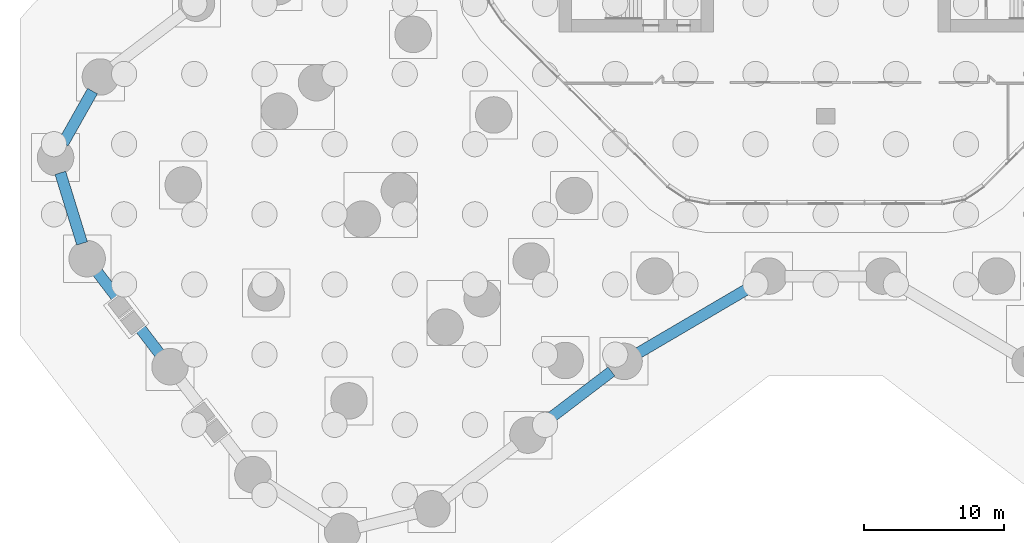
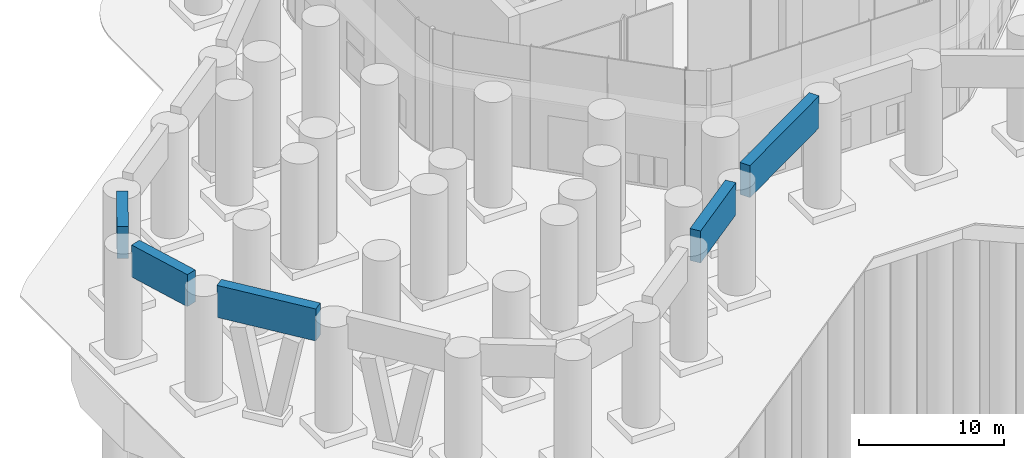
# One storey, part 4 of 31: 5 beams.
"""IFC4 building model written with IfcOpenShell, lengths in metres."""

import ifcopenshell
import ifcopenshell.guid

model = None  # the IFC model being written
_history = None  # IfcOwnerHistory: only IFC2X3 demands one
_inside = {}  # id of a spatial element -> (the spatial element, [elements in it])
_under = {}  # id of a project, library or spatial element -> (it, [spatial elements below it])
_declared = {}  # id of a project -> (the project, [libraries it declares])
_typed = {}  # id of a type object -> (the type object, [elements of that type])
_made_of = {}  # id of a material, layer set ... -> (it, [elements and type objects made of it])


def new_model(schema):
    """Start an empty IFC model of exactly this schema.

    Asked for "IFC4X3", IfcOpenShell would pick the latest addendum, in which some entities
    have other attributes; the version numbers below select the first issue.
    IFC2X3 requires an IfcOwnerHistory on every rooted entity: one is made here for all.
    """
    global model, _history
    if schema == "IFC4X3":
        model = ifcopenshell.file(schema_version=(4, 3, 0, 0))
    else:
        model = ifcopenshell.file(schema=schema)
    _inside.clear()
    _under.clear()
    _declared.clear()
    _typed.clear()
    _made_of.clear()
    _history = None
    if model.schema == "IFC2X3":
        org = make("IfcOrganization", Name="unknown")
        user = make(
            "IfcPersonAndOrganization",
            ThePerson=make("IfcPerson", FamilyName="unknown"),
            TheOrganization=org,
        )
        app = make(
            "IfcApplication",
            ApplicationDeveloper=org,
            Version="unknown",
            ApplicationFullName="unknown",
            ApplicationIdentifier="unknown",
        )
        _history = make(
            "IfcOwnerHistory",
            OwningUser=user,
            OwningApplication=app,
            ChangeAction="ADDED",
            CreationDate=0,
        )
    return model


def make(cls, **values):
    """One entity of the class cls with the attributes given. An attribute that is None is left unset."""
    return model.create_entity(
        cls, **{name: value for name, value in values.items() if value is not None}
    )


def rooted(cls, **values):
    """An entity with a GlobalId (a new one), such as an element, a storey or a relation."""
    return make(cls, GlobalId=ifcopenshell.guid.new(), OwnerHistory=_history, **values)


def si_unit(unit_type, name, prefix=None):
    """IfcSIUnit, for example si_unit("LENGTHUNIT", "METRE", prefix="MILLI")."""
    return make("IfcSIUnit", UnitType=unit_type, Prefix=prefix, Name=name)


def assignment(units):
    """IfcUnitAssignment: the units of a project."""
    return None if units is None else make("IfcUnitAssignment", Units=units)


def point(xyz):
    """IfcCartesianPoint."""
    return None if xyz is None else make("IfcCartesianPoint", Coordinates=xyz)


def direction(xyz):
    """IfcDirection."""
    return None if xyz is None else make("IfcDirection", DirectionRatios=xyz)


def frame(location, z_axis=None, x_axis=None):
    """IfcAxis2Placement3D, a coordinate frame: its origin and axes. An axis left out is left unset."""
    return make(
        "IfcAxis2Placement3D",
        Location=point(location),
        Axis=direction(z_axis),
        RefDirection=direction(x_axis),
    )


def frame_2d(location, x_axis=None):
    """IfcAxis2Placement2D, a coordinate frame in the plane: its origin and x axis."""
    return make(
        "IfcAxis2Placement2D", Location=point(location), RefDirection=direction(x_axis)
    )


def origin():
    """The frame at (0, 0, 0) with its axes left unset."""
    return frame((0.0, 0.0, 0.0))


def origin_2d():
    """The frame at (0, 0) in the plane with its x axis left unset."""
    return frame_2d((0.0, 0.0))


def place(relative_to, where):
    """IfcLocalPlacement: puts the frame where relative to a parent placement (None: the world)."""
    return make(
        "IfcLocalPlacement", PlacementRelTo=relative_to, RelativePlacement=where
    )


def context(
    kind, dimensions, precision=None, world=None, true_north=None, identifier=None
):
    """IfcGeometricRepresentationContext, for example the 3D "Model" context."""
    return make(
        "IfcGeometricRepresentationContext",
        ContextIdentifier=identifier,
        ContextType=kind,
        CoordinateSpaceDimension=dimensions,
        Precision=precision,
        WorldCoordinateSystem=world,
        TrueNorth=true_north,
    )


def subcontext(parent, identifier, kind, view, scale=None):
    """IfcGeometricRepresentationSubContext, for example "Body" below "Model"."""
    return make(
        "IfcGeometricRepresentationSubContext",
        ContextIdentifier=identifier,
        ContextType=kind,
        ParentContext=parent,
        TargetScale=scale,
        TargetView=view,
    )


def project(units=None, contexts=None):
    """IfcProject with its units and contexts."""
    return rooted(
        "IfcProject",
        Name="project",
        RepresentationContexts=contexts,
        UnitsInContext=assignment(units),
    )


def spatial(cls, under=None, at=None, **own):
    """A site, building, storey or space (cls), placed at a placement, below another one or the project."""
    s = rooted(cls, ObjectPlacement=at, **own)
    if under is not None:
        _under.setdefault(under.id(), (under, []))[1].append(s)
    return s


def profile(cls, at=None, kind="AREA", **sizes):
    """A parametric profile (cls). Its sizes go by their IFC names, for example OverallWidth=200.0."""
    return make(cls, ProfileType=kind, Position=at, **sizes)


def rectangle(**sizes):
    """IfcRectangleProfileDef."""
    return profile("IfcRectangleProfileDef", **sizes)


def extrude(swept, where, along, depth):
    """IfcExtrudedAreaSolid: the profile swept, set in the frame where, extruded along a direction by depth."""
    return make(
        "IfcExtrudedAreaSolid",
        SweptArea=swept,
        Position=where,
        ExtrudedDirection=direction(along),
        Depth=depth,
    )


def shape(context_of_items, identifier, shape_type, items):
    """IfcShapeRepresentation: the items that make up one representation, for example the "Body"."""
    return make(
        "IfcShapeRepresentation",
        ContextOfItems=context_of_items,
        RepresentationIdentifier=identifier,
        RepresentationType=shape_type,
        Items=items,
    )


def material(Name=None, Category=None):
    """IfcMaterial."""
    return make("IfcMaterial", Name=Name, Category=Category)


def material_profile(
    of_material, cross_section, Name=None, Category=None, Priority=None
):
    """IfcMaterialProfile: a cross section and its material."""
    return make(
        "IfcMaterialProfile",
        Name=Name,
        Material=of_material,
        Profile=cross_section,
        Priority=Priority,
        Category=Category,
    )


def profile_set(profiles, Name=None, composite=None):
    """IfcMaterialProfileSet."""
    return make(
        "IfcMaterialProfileSet",
        Name=Name,
        MaterialProfiles=profiles,
        CompositeProfile=composite,
    )


def made_of(thing, what):
    """Note that an element or type object is made of a material, layer set ...; save() writes the relation."""
    if what is not None:
        _made_of.setdefault(what.id(), (what, []))[1].append(thing)
    return thing


def type_object(cls, material=None, **own):
    """A type object (cls), such as IfcWallType, which elements share."""
    return made_of(rooted(cls, **own), material)


def element(
    cls,
    number,
    at=None,
    inside=None,
    cuts=None,
    type_object=None,
    material=None,
    context=None,
    identifier="Body",
    shape_type=None,
    held_by="IfcProductDefinitionShape",
    body=None,
    shapes=None,
    **own,
):
    """One element of the class cls, such as IfcWall. Its Tag is "e" and its number.

    at: its placement. inside: the storey or other place that contains it. cuts: it is an
    opening in that element (IfcRelVoidsElement). A single representation is given by context,
    identifier, shape_type and body (its items); several are given by shapes. held_by: the class
    of the entity that holds the representations. save() writes the other relations.
    """
    e = rooted(cls, Tag="e%d" % number, ObjectPlacement=at, **own)
    if body is not None:
        shapes = [shape(context, identifier, shape_type, body)]
    if shapes is not None:
        e.Representation = make(held_by, Representations=shapes)
    if inside is not None:
        _inside.setdefault(inside.id(), (inside, []))[1].append(e)
    if cuts is not None:
        rooted(
            "IfcRelVoidsElement", RelatingBuildingElement=cuts, RelatedOpeningElement=e
        )
    if type_object is not None:
        _typed.setdefault(type_object.id(), (type_object, []))[1].append(e)
    return made_of(e, material)


def aggregate(whole, parts):
    """IfcRelAggregates: a whole, such as a stair, and the parts it consists of."""
    return rooted("IfcRelAggregates", RelatingObject=whole, RelatedObjects=parts)


def save(model, path):
    """Write the relations noted so far, then the file.

    IfcRelAggregates (storeys below a building ...), IfcRelContainedInSpatialStructure (elements
    in a storey), IfcRelDefinesByType, IfcRelAssociatesMaterial and IfcRelDeclares: one each for
    every whole, place, type object, material and project.
    """
    for whole, parts in _under.values():
        aggregate(whole, parts)
    for where, things in _inside.values():
        rooted(
            "IfcRelContainedInSpatialStructure",
            RelatedElements=things,
            RelatingStructure=where,
        )
    for kind, things in _typed.values():
        rooted("IfcRelDefinesByType", RelatedObjects=things, RelatingType=kind)
    for what, things in _made_of.values():
        rooted("IfcRelAssociatesMaterial", RelatedObjects=things, RelatingMaterial=what)
    for by, libraries in _declared.values():
        rooted("IfcRelDeclares", RelatingContext=by, RelatedDefinitions=libraries)
    model.write(path)


model = new_model("IFC4")

# Units and contexts
model_context = context("Model", 3, precision=1e-05, world=origin(), true_north=direction((0.0, 1.0)))
body_context = subcontext(model_context, "Body", "Model", "MODEL_VIEW")
ifc_project = project(units=[si_unit("LENGTHUNIT", "METRE"), si_unit("AREAUNIT", "SQUARE_METRE"), si_unit("VOLUMEUNIT", "CUBIC_METRE"), si_unit("PLANEANGLEUNIT", "RADIAN"), si_unit("MASSUNIT", "GRAM", prefix="KILO")], contexts=[model_context])

# Site, building, storey
site_placement = place(None, origin())
site = spatial("IfcSite", under=ifc_project, at=site_placement, CompositionType="ELEMENT")
building_placement = place(site_placement, origin())
building = spatial("IfcBuilding", under=site, at=building_placement, Name="Orlundy Tower", CompositionType="ELEMENT")
storey_placement = place(building_placement, origin())
storey = spatial("IfcBuildingStorey", under=building, at=storey_placement, Name="L00", CompositionType="ELEMENT", Elevation=0.0)

# Beams
ifc_material = material(Name="Concrete C80/95", Category="concrete")
ifc_material_profile = material_profile(ifc_material, rectangle(XDim=0.800048828125, YDim=2.699951171875, at=origin_2d()), Name="RC800X2700")
ifc_profile_set = profile_set([ifc_material_profile], Name="Concrete C80/95")
beam_type = type_object("IfcBeamType", Name="RC FASCIA BEAM RC800X2700 C80/95", PredefinedType="BEAM", material=ifc_profile_set)
beam_1_placement = place(storey_placement, frame((-5.039794921875, -30.00048828125, 8.75), z_axis=(-0.862314905454, -0.506372396396, 0.0), x_axis=(0.506372396396, -0.862314905454, 0.0)))
element("IfcBeam", 1, at=beam_1_placement, inside=storey, type_object=beam_type, Name="Fascia beam 05", PredefinedType="BEAM", context=body_context, shape_type="SweptSolid", body=[
    extrude(rectangle(XDim=0.800048828125, YDim=2.699951171875, at=origin_2d()), origin(), (0.0, 0.0, 1.0), 9.671142578125),
])
beam_2_placement = place(storey_placement, frame((-15.266845703125, -36.201171875, 8.75), z_axis=(-0.795495426109, -0.605959591919, 0.0), x_axis=(0.605959591919, -0.795495426109, 0.0)))
element("IfcBeam", 2, at=beam_2_placement, inside=storey, type_object=beam_type, Name="Fascia beam 06", PredefinedType="BEAM", context=body_context, shape_type="SweptSolid", body=[
    extrude(rectangle(XDim=0.800048828125, YDim=2.699951171875, at=origin_2d()), origin(), (0.0, 0.0, 1.0), 6.33349609375),
])
beam_3_placement = place(storey_placement, frame((-47.44775390625, -34.958251953125, 8.75), z_axis=(-0.606510339746, 0.795075598784, 0.0), x_axis=(-0.795075598784, -0.606510339746, 0.0)))
element("IfcBeam", 3, at=beam_3_placement, inside=storey, type_object=beam_type, Name="Fascia beam 11", PredefinedType="BEAM", context=body_context, shape_type="SweptSolid", body=[
    extrude(rectangle(XDim=0.800048828125, YDim=2.699951171875, at=origin_2d()), origin(), (0.0, 0.0, 1.0), 7.3994140625),
])
beam_4_placement = place(storey_placement, frame((-52.997314453125, -27.0703125, 8.75), z_axis=(-0.29440229853, 0.955681582233, 0.0), x_axis=(-0.955681582233, -0.29440229853, 0.0)))
element("IfcBeam", 4, at=beam_4_placement, inside=storey, type_object=beam_type, Name="Fascia beam 12", PredefinedType="BEAM", context=body_context, shape_type="SweptSolid", body=[
    extrude(rectangle(XDim=0.800048828125, YDim=2.699951171875, at=origin_2d()), origin(), (0.0, 0.0, 1.0), 5.258544921875),
])
beam_5_placement = place(storey_placement, frame((-54.344970703125, -19.93017578125, 8.75), z_axis=(0.490834554454, 0.871252799223, 0.0), x_axis=(-0.871252799223, 0.490834554454, 0.0)))
element("IfcBeam", 5, at=beam_5_placement, inside=storey, type_object=beam_type, Name="Fascia beam 13", PredefinedType="BEAM", context=body_context, shape_type="SweptSolid", body=[
    extrude(rectangle(XDim=0.800048828125, YDim=2.699951171875, at=origin_2d()), origin(), (0.0, 0.0, 1.0), 4.26513671875),
])

save(model, "model.ifc")
